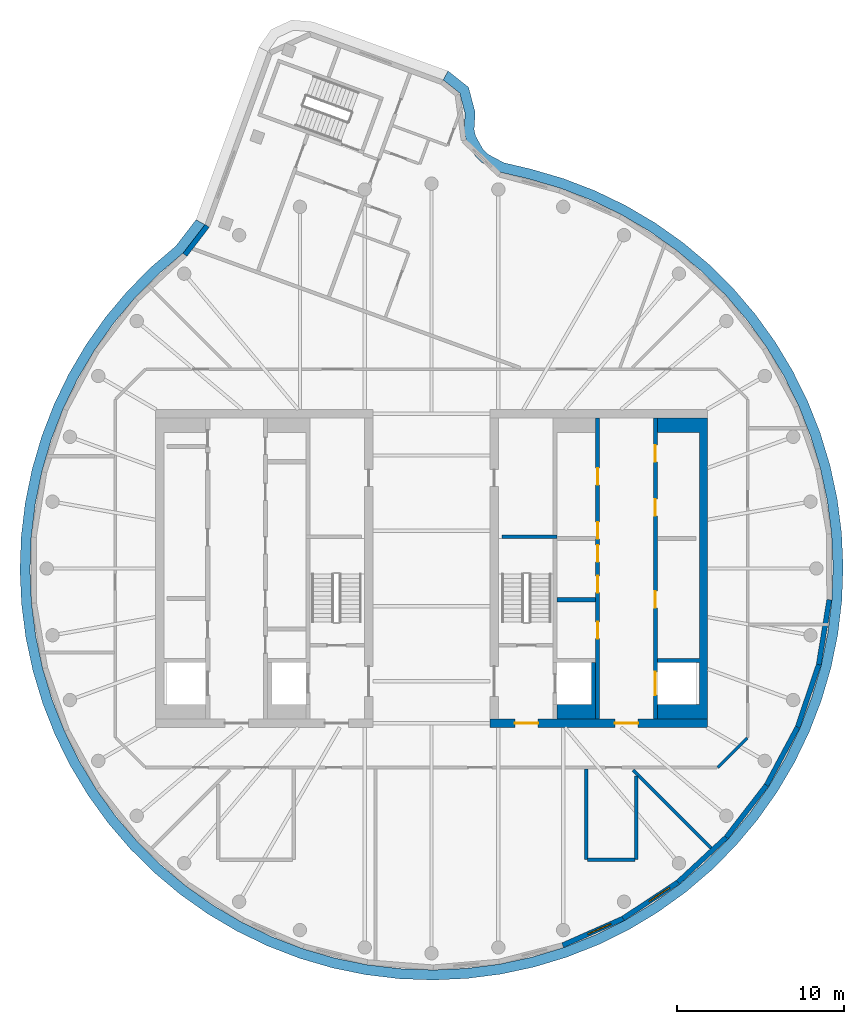
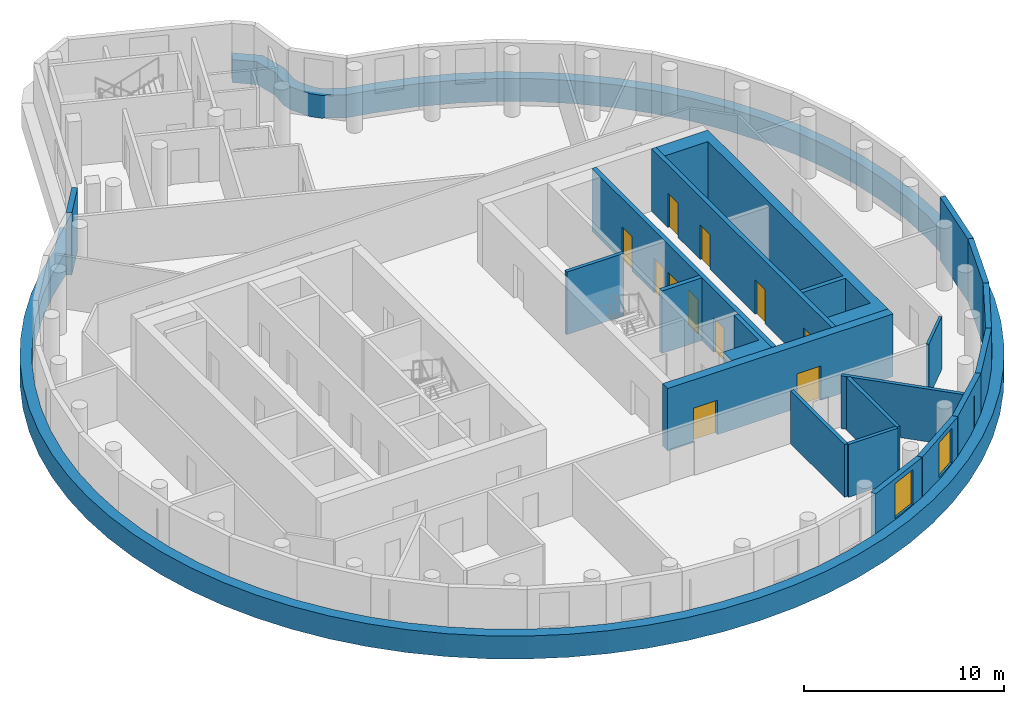
# One storey, part 4 of 7: 20 walls, 11 doors, 2 windows, 1 member, 13 openings.
"""IFC4 building model written with IfcOpenShell, lengths in metres."""

from ifc_helpers import new_model, si_unit, direction, frame, frame_2d, origin, place, context, subcontext, project, spatial, polyline, rectangle, outline, extrude, material, layer, layer_set, type_object, element, fill, aggregate, save


model = new_model("IFC4")

# Units and contexts
model_context = context("Model", 3, precision=1e-05, world=origin(), true_north=direction((0.0, 1.0)))
body_context = subcontext(model_context, "Body", "Model", "MODEL_VIEW")
ifc_project = project(units=[si_unit("LENGTHUNIT", "METRE"), si_unit("AREAUNIT", "SQUARE_METRE"), si_unit("VOLUMEUNIT", "CUBIC_METRE"), si_unit("PLANEANGLEUNIT", "RADIAN"), si_unit("MASSUNIT", "GRAM", prefix="KILO")], contexts=[model_context])

# Member
ifc_material_1 = material(Name="Aluminium and insulated spandrel panel", Category="aluminium")
member_type = type_object("IfcMemberType", Name="Floor-edge blade transom", PredefinedType="USERDEFINED", material=ifc_material_1)
site_placement = place(None, origin())
building_placement = place(site_placement, origin())
storey_placement = place(building_placement, frame((0.0, 0.0, 317.39990234375)))
member_placement = place(storey_placement, origin())
member = element("IfcMember", 1, at=member_placement, type_object=member_type, Name="CWT-L78-02", ObjectType="TRANSOM", PredefinedType="USERDEFINED", context=body_context, shape_type="SweptSolid", body=[
    extrude(outline(polyline([(-13.54248046875, 20.54736328125), (-14.847900390625, 18.848876953125), (-16.327880859375, 17.584228515625), (-17.72412109375, 16.17578125), (-18.99951171875, 14.656982421875), (-20.14501953125, 13.0380859375), (-21.15283203125, 11.329833984375), (-22.01611328125, 9.54443359375), (-22.72900390625, 7.69384765625), (-23.286865234375, 5.79052734375), (-23.685546875, 3.84765625), (-23.92236328125, 1.878662109375), (-23.995849609375, -0.103271484375), (-23.9052734375, -2.08447265625), (-23.6513671875, -4.051513671875), (-23.236083984375, -5.99072265625), (-22.662109375, -7.88916015625), (-21.93310546875, -9.733642578125), (-21.054443359375, -11.511474609375), (-20.031982421875, -13.2109375), (-18.87255859375, -14.820068359375), (-17.584228515625, -16.327880859375), (-16.17578125, -17.72412109375), (-14.656982421875, -18.99951171875), (-13.0380859375, -20.14501953125), (-11.329833984375, -21.15283203125), (-9.54443359375, -22.01611328125), (-7.69384765625, -22.72900390625), (-5.79052734375, -23.286865234375), (-3.84765625, -23.685546875), (-1.878662109375, -23.92236328125), (0.103271484375, -23.995849609375), (2.08447265625, -23.9052734375), (4.051513671875, -23.6513671875), (5.99072265625, -23.236083984375), (7.88916015625, -22.662109375), (9.733642578125, -21.93310546875), (11.511474609375, -21.054443359375), (13.2109375, -20.031982421875), (14.820068359375, -18.87255859375), (16.327880859375, -17.584228515625), (17.72412109375, -16.17578125), (18.99951171875, -14.656982421875), (20.14501953125, -13.0380859375), (21.15283203125, -11.329833984375), (22.01611328125, -9.54443359375), (22.72900390625, -7.69384765625), (23.286865234375, -5.79052734375), (23.685546875, -3.84765625), (23.92236328125, -1.878662109375), (23.995849609375, 0.103271484375), (23.9052734375, 2.08447265625), (23.6513671875, 4.051513671875), (23.236083984375, 5.99072265625), (22.662109375, 7.88916015625), (21.93310546875, 9.733642578125), (21.054443359375, 11.511474609375), (20.031982421875, 13.2109375), (18.87255859375, 14.820068359375), (17.584228515625, 16.327880859375), (16.17578125, 17.72412109375), (14.656982421875, 18.99951171875), (13.0380859375, 20.14501953125), (11.329833984375, 21.15283203125), (9.54443359375, 22.01611328125), (7.69384765625, 22.72900390625), (5.79052734375, 23.286865234375), (4.106689453125, 23.68115234375), (2.99658203125, 24.276123046875), (2.603515625, 24.663330078125), (2.0615234375, 25.6376953125), (1.940185546875, 26.176025390625), (2.004638671875, 27.190673828125), (1.6826171875, 28.412353515625), (0.692626953125, 29.197021484375), (0.9892578125, 29.7275390625), (2.2119140625, 28.75830078125), (2.609619140625, 27.249755859375), (2.54443359375, 26.223876953125), (2.6279296875, 25.85400390625), (3.0859375, 25.0302734375), (3.356201171875, 24.76416015625), (4.3203125, 24.247314453125), (5.943359375, 23.8671875), (7.88623046875, 23.2978515625), (9.783203125, 22.567138671875), (11.613525390625, 21.68212890625), (13.3642578125, 20.64892578125), (15.023681640625, 19.474853515625), (16.580810546875, 18.167724609375), (18.0244140625, 16.736572265625), (19.344970703125, 15.19091796875), (20.533203125, 13.54150390625), (21.581298828125, 11.799560546875), (22.482177734375, 9.97705078125), (23.229248046875, 8.08642578125), (23.817626953125, 6.140625), (24.243408203125, 4.15283203125), (24.50341796875, 2.13671875), (24.59619140625, 0.10595703125), (24.52099609375, -1.925537109375), (24.2783203125, -3.944091796875), (23.86962890625, -5.935302734375), (23.2978515625, -7.88623046875), (22.567138671875, -9.783203125), (21.68212890625, -11.613525390625), (20.64892578125, -13.3642578125), (19.474853515625, -15.023681640625), (18.167724609375, -16.580810546875), (16.736572265625, -18.0244140625), (15.19091796875, -19.344970703125), (13.54150390625, -20.533203125), (11.799560546875, -21.581298828125), (9.97705078125, -22.482177734375), (8.08642578125, -23.229248046875), (6.140625, -23.817626953125), (4.15283203125, -24.243408203125), (2.13671875, -24.50341796875), (0.10595703125, -24.59619140625), (-1.925537109375, -24.52099609375), (-3.944091796875, -24.2783203125), (-5.935302734375, -23.86962890625), (-7.88623046875, -23.2978515625), (-9.783203125, -22.567138671875), (-11.613525390625, -21.68212890625), (-13.3642578125, -20.64892578125), (-15.023681640625, -19.474853515625), (-16.580810546875, -18.167724609375), (-18.0244140625, -16.736572265625), (-19.344970703125, -15.19091796875), (-20.533203125, -13.54150390625), (-21.581298828125, -11.799560546875), (-22.482177734375, -9.97705078125), (-23.229248046875, -8.08642578125), (-23.817626953125, -6.140625), (-24.243408203125, -4.15283203125), (-24.50341796875, -2.13671875), (-24.59619140625, -0.10595703125), (-24.52099609375, 1.925537109375), (-24.2783203125, 3.944091796875), (-23.86962890625, 5.935302734375), (-23.2978515625, 7.88623046875), (-22.567138671875, 9.783203125), (-21.68212890625, 11.613525390625), (-20.64892578125, 13.3642578125), (-19.474853515625, 15.023681640625), (-18.167724609375, 16.580810546875), (-16.736572265625, 18.0244140625), (-15.285400390625, 19.264404296875), (-14.07470703125, 20.839599609375), (-13.54248046875, 20.54736328125)])), origin(), (0.0, 0.0, 1.0), 1.400146484375),
])

# Site, building, storey
site = spatial("IfcSite", under=ifc_project, at=site_placement, CompositionType="ELEMENT")
building = spatial("IfcBuilding", under=site, at=building_placement, Name="Tamarind Cross Interchange Tower", CompositionType="ELEMENT")
storey = spatial("IfcBuildingStorey", under=building, at=storey_placement, Name="L78", CompositionType="ELEMENT", Elevation=317.39990234375)

# Wall, openings, doors
ifc_material_2 = material(Name="Concrete C50", Category="concrete")
ifc_layer_1 = layer(ifc_material_2, 0.5)
ifc_layer_set_1 = layer_set([ifc_layer_1], Name="Concrete C50")
wall_type_1 = type_object("IfcWallType", Name="Core wall 500 mm Concrete C50", PredefinedType="SHEAR", material=ifc_layer_set_1)
wall_1_placement = place(storey_placement, frame((16.5, -9.25, 0.0), z_axis=(0.0, 0.0, 1.0), x_axis=(-1.0, 0.0, 0.0)))
wall_1 = element("IfcWall", 2, at=wall_1_placement, inside=storey, type_object=wall_type_1, Name="Core wall CWL-L78-E-S", PredefinedType="SHEAR", context=body_context, shape_type="SweptSolid", body=[
    extrude(rectangle(XDim=13.0, YDim=0.5, at=frame_2d((6.5, 0.0))), origin(), (0.0, 0.0, 1.0), 3.820068359375),
])
opening_1_placement = place(wall_1_placement, frame((4.14990234375, 0.0, 0.0)))
opening_1 = element("IfcOpeningElement", 3, at=opening_1_placement, cuts=wall_1, Name="Opening DCE1", PredefinedType="OPENING", context=body_context, shape_type="SweptSolid", body=[
    extrude(rectangle(XDim=1.39990234375, YDim=2.10009765625, at=frame_2d((0.699951171875, 1.050048828125))), frame((0.0, 0.260009765625, 0.0), z_axis=(0.0, -1.0, 0.0), x_axis=(1.0, 0.0, 0.0)), (0.0, 0.0, 1.0), 0.52001953125),
])
opening_2_placement = place(wall_1_placement, frame((10.125, 0.0, 0.0)))
opening_2 = element("IfcOpeningElement", 4, at=opening_2_placement, cuts=wall_1, Name="Opening DCEF", PredefinedType="OPENING", context=body_context, shape_type="SweptSolid", body=[
    extrude(rectangle(XDim=1.39990234375, YDim=2.10009765625, at=frame_2d((0.699951171875, 1.050048828125))), frame((0.0, 0.260009765625, 0.0), z_axis=(0.0, -1.0, 0.0), x_axis=(1.0, 0.0, 0.0)), (0.0, 0.0, 1.0), 0.52001953125),
])
ifc_material_3 = material(Name="Steel, fire-resisting", Category="steel")
door_type_1 = type_object("IfcDoorType", Name="Core fire door 1400 x 2100 FD90", OperationType="SINGLE_SWING_LEFT", PredefinedType="DOOR", material=ifc_material_3)
door_1_placement = place(opening_1_placement, origin())
door_1 = element("IfcDoor", 5, at=door_1_placement, inside=storey, type_object=door_type_1, Name="L78 lift lobby door", OperationType="SINGLE_SWING_LEFT", OverallHeight=2.10009765625, OverallWidth=1.39990234375, PredefinedType="DOOR", context=body_context, shape_type="SweptSolid", body=[
    extrude(rectangle(XDim=1.39990234375, YDim=2.10009765625, at=frame_2d((0.699951171875, 1.050048828125))), frame((0.0, 0.02490234375, 0.0), z_axis=(0.0, -1.0, 0.0), x_axis=(1.0, 0.0, 0.0)), (0.0, 0.0, 1.0), 0.050048828125),
])
fill(opening_1, door_1)
door_2_placement = place(opening_2_placement, origin())
door_2 = element("IfcDoor", 6, at=door_2_placement, inside=storey, type_object=door_type_1, Name="L78 firefighting lobby end door", OperationType="SINGLE_SWING_LEFT", OverallHeight=2.10009765625, OverallWidth=1.39990234375, PredefinedType="DOOR", context=body_context, shape_type="SweptSolid", body=[
    extrude(rectangle(XDim=1.39990234375, YDim=2.10009765625, at=frame_2d((0.699951171875, 1.050048828125))), frame((0.0, 0.02490234375, 0.0), z_axis=(0.0, -1.0, 0.0), x_axis=(1.0, 0.0, 0.0)), (0.0, 0.0, 1.0), 0.050048828125),
])
fill(opening_2, door_2)

# Walls
wall_2_placement = place(storey_placement, origin())
element("IfcWall", 7, at=wall_2_placement, inside=storey, type_object=wall_type_1, Name="Core wall CWL-L78-E-A", PredefinedType="SHEAR", context=body_context, shape_type="SweptSolid", body=[
    extrude(outline(polyline([(13.5, -8.125), (13.5, -9.0), (16.0, -9.0), (16.5, -9.0), (16.5, 9.0), (16.0, 9.0), (13.5, 9.0), (13.5, 8.125), (16.0, 8.125), (16.0, -5.375), (13.5, -5.375), (13.5, -5.625), (16.0, -5.625), (16.0, -8.125), (13.5, -8.125)])), origin(), (0.0, 0.0, 1.0), 3.820068359375),
])
ifc_layer_2 = layer(ifc_material_2, 0.199951171875)
ifc_layer_set_2 = layer_set([ifc_layer_2], Name="Concrete C50")
wall_type_2 = type_object("IfcWallType", Name="Core web wall 200 mm Concrete C50", PredefinedType="SHEAR", material=ifc_layer_set_2)
wall_3_placement = place(storey_placement, frame((7.5, 1.89990234375, 0.0), z_axis=(0.0, 0.0, 1.0), x_axis=(-1.0, 0.0, 0.0)))
element("IfcWall", 8, at=wall_3_placement, inside=storey, type_object=wall_type_2, Name="Core wall CWL-L78-E-BD", PredefinedType="SHEAR", context=body_context, shape_type="SweptSolid", body=[
    extrude(rectangle(XDim=3.300048828125, YDim=0.199951171875, at=frame_2d((1.64990234375, 0.0))), origin(), (0.0, 0.0, 1.0), 3.820068359375),
])
ifc_layer_3 = layer(ifc_material_2, 0.25)
ifc_layer_set_3 = layer_set([ifc_layer_3], Name="Concrete C50")
wall_type_3 = type_object("IfcWallType", Name="Core web wall 250 mm Concrete C50", PredefinedType="SHEAR", material=ifc_layer_set_3)
wall_4_placement = place(storey_placement, origin())
element("IfcWall", 9, at=wall_4_placement, inside=storey, type_object=wall_type_3, Name="Core wall CWL-L78-E-BS", PredefinedType="SHEAR", context=body_context, shape_type="SweptSolid", body=[
    extrude(outline(polyline([(7.5, -8.125), (7.5, -9.0), (9.800048828125, -9.0), (9.800048828125, -8.125), (9.800048828125, -5.625), (9.550048828125, -5.625), (9.550048828125, -8.125), (7.5, -8.125)])), origin(), (0.0, 0.0, 1.0), 3.820068359375),
])

# Wall, openings, doors
wall_5_placement = place(storey_placement, frame((13.375, -9.0, 0.0), z_axis=(0.0, 0.0, 1.0), x_axis=(0.0, 1.0, 0.0)))
wall_5 = element("IfcWall", 10, at=wall_5_placement, inside=storey, type_object=wall_type_3, Name="Core wall CWL-L78-E-LA", PredefinedType="SHEAR", context=body_context, shape_type="SweptSolid", body=[
    extrude(rectangle(XDim=18.0, YDim=0.25, at=frame_2d((9.0, 0.0))), origin(), (0.0, 0.0, 1.0), 3.820068359375),
])
opening_3_placement = place(wall_5_placement, frame((1.425048828125, 0.0, 0.0)))
opening_3 = element("IfcOpeningElement", 11, at=opening_3_placement, cuts=wall_5, Name="Opening LD13L78", PredefinedType="OPENING", context=body_context, shape_type="SweptSolid", body=[
    extrude(rectangle(XDim=1.39990234375, YDim=2.10009765625, at=frame_2d((0.699951171875, 1.050048828125))), frame((0.0, 0.135009765625, 0.0), z_axis=(0.0, -1.0, 0.0), x_axis=(1.0, 0.0, 0.0)), (0.0, 0.0, 1.0), 0.27001953125),
])
opening_4_placement = place(wall_5_placement, frame((6.64599609375, 0.0, 0.0)))
opening_4 = element("IfcOpeningElement", 12, at=opening_4_placement, cuts=wall_5, Name="Opening DCE9", PredefinedType="OPENING", context=body_context, shape_type="SweptSolid", body=[
    extrude(rectangle(XDim=1.0, YDim=2.10009765625, at=frame_2d((0.5, 1.050048828125))), frame((0.0, 0.135009765625, 0.0), z_axis=(0.0, -1.0, 0.0), x_axis=(1.0, 0.0, 0.0)), (0.0, 0.0, 1.0), 0.27001953125),
])
opening_5_placement = place(wall_5_placement, frame((12.14599609375, 0.0, 0.0)))
opening_5 = element("IfcOpeningElement", 13, at=opening_5_placement, cuts=wall_5, Name="Opening DCE10", PredefinedType="OPENING", context=body_context, shape_type="SweptSolid", body=[
    extrude(rectangle(XDim=1.0, YDim=2.10009765625, at=frame_2d((0.5, 1.050048828125))), frame((0.0, 0.135009765625, 0.0), z_axis=(0.0, -1.0, 0.0), x_axis=(1.0, 0.0, 0.0)), (0.0, 0.0, 1.0), 0.27001953125),
])
opening_6_placement = place(wall_5_placement, frame((15.375, 0.0, 0.0)))
opening_6 = element("IfcOpeningElement", 14, at=opening_6_placement, cuts=wall_5, Name="Opening DCE17", PredefinedType="OPENING", context=body_context, shape_type="SweptSolid", body=[
    extrude(rectangle(XDim=1.0, YDim=2.10009765625, at=frame_2d((0.5, 1.050048828125))), frame((0.0, 0.135009765625, 0.0), z_axis=(0.0, -1.0, 0.0), x_axis=(1.0, 0.0, 0.0)), (0.0, 0.0, 1.0), 0.27001953125),
])
door_type_2 = type_object("IfcDoorType", Name="Core fire door 1000 x 2100 FD90", OperationType="SINGLE_SWING_LEFT", PredefinedType="DOOR", material=ifc_material_3)
door_3_placement = place(opening_4_placement, origin())
door_3 = element("IfcDoor", 15, at=door_3_placement, inside=storey, type_object=door_type_2, Name="L78 Battery room door", OperationType="SINGLE_SWING_LEFT", OverallHeight=2.10009765625, OverallWidth=1.0, PredefinedType="DOOR", context=body_context, shape_type="SweptSolid", body=[
    extrude(rectangle(XDim=1.0, YDim=2.10009765625, at=frame_2d((0.5, 1.050048828125))), frame((0.0, 0.02490234375, 0.0), z_axis=(0.0, -1.0, 0.0), x_axis=(1.0, 0.0, 0.0)), (0.0, 0.0, 1.0), 0.050048828125),
])
fill(opening_4, door_3)
door_4_placement = place(opening_5_placement, origin())
door_4 = element("IfcDoor", 16, at=door_4_placement, inside=storey, type_object=door_type_2, Name="L78 Switch room door", OperationType="SINGLE_SWING_LEFT", OverallHeight=2.10009765625, OverallWidth=1.0, PredefinedType="DOOR", context=body_context, shape_type="SweptSolid", body=[
    extrude(rectangle(XDim=1.0, YDim=2.10009765625, at=frame_2d((0.5, 1.050048828125))), frame((0.0, 0.02490234375, 0.0), z_axis=(0.0, -1.0, 0.0), x_axis=(1.0, 0.0, 0.0)), (0.0, 0.0, 1.0), 0.050048828125),
])
fill(opening_5, door_4)
door_5_placement = place(opening_6_placement, origin())
door_5 = element("IfcDoor", 17, at=door_5_placement, inside=storey, type_object=door_type_2, Name="L78 Pump room door", OperationType="SINGLE_SWING_LEFT", OverallHeight=2.10009765625, OverallWidth=1.0, PredefinedType="DOOR", context=body_context, shape_type="SweptSolid", body=[
    extrude(rectangle(XDim=1.0, YDim=2.10009765625, at=frame_2d((0.5, 1.050048828125))), frame((0.0, 0.02490234375, 0.0), z_axis=(0.0, -1.0, 0.0), x_axis=(1.0, 0.0, 0.0)), (0.0, 0.0, 1.0), 0.050048828125),
])
fill(opening_6, door_5)
ifc_material_4 = material(Name="Stainless steel panel", Category="steel")
door_type_3 = type_object("IfcDoorType", Name="Lift landing door 1400 x 2100 E 120", OperationType="SLIDING_TO_LEFT", PredefinedType="DOOR", material=ifc_material_4)
door_6_placement = place(opening_3_placement, origin())
door_6 = element("IfcDoor", 18, at=door_6_placement, inside=storey, type_object=door_type_3, Name="L78 landing door LF13", OperationType="SLIDING_TO_LEFT", OverallHeight=2.10009765625, OverallWidth=1.39990234375, PredefinedType="DOOR", context=body_context, shape_type="SweptSolid", body=[
    extrude(rectangle(XDim=1.39990234375, YDim=2.10009765625, at=frame_2d((0.699951171875, 1.050048828125))), frame((0.0, 0.02490234375, 0.0), z_axis=(0.0, -1.0, 0.0), x_axis=(1.0, 0.0, 0.0)), (0.0, 0.0, 1.0), 0.050048828125),
])
fill(opening_3, door_6)

wall_6_placement = place(storey_placement, frame((9.925048828125, -9.0, 0.0), z_axis=(0.0, 0.0, 1.0), x_axis=(0.0, 1.0, 0.0)))
wall_6 = element("IfcWall", 19, at=wall_6_placement, inside=storey, type_object=wall_type_3, Name="Core wall CWL-L78-E-LB", PredefinedType="SHEAR", context=body_context, shape_type="SweptSolid", body=[
    extrude(rectangle(XDim=18.0, YDim=0.25, at=frame_2d((9.0, 0.0))), origin(), (0.0, 0.0, 1.0), 3.820068359375),
])
opening_7_placement = place(wall_6_placement, frame((4.8125, 0.0, 0.0)))
opening_7 = element("IfcOpeningElement", 20, at=opening_7_placement, cuts=wall_6, Name="Opening DCE21", PredefinedType="OPENING", context=body_context, shape_type="SweptSolid", body=[
    extrude(rectangle(XDim=1.0, YDim=2.10009765625, at=frame_2d((0.5, 1.050048828125))), frame((0.0, 0.135009765625, 0.0), z_axis=(0.0, -1.0, 0.0), x_axis=(1.0, 0.0, 0.0)), (0.0, 0.0, 1.0), 0.27001953125),
])
opening_8_placement = place(wall_6_placement, frame((7.5625, 0.0, 0.0)))
opening_8 = element("IfcOpeningElement", 21, at=opening_8_placement, cuts=wall_6, Name="Opening DCE22", PredefinedType="OPENING", context=body_context, shape_type="SweptSolid", body=[
    extrude(rectangle(XDim=1.0, YDim=2.10009765625, at=frame_2d((0.5, 1.050048828125))), frame((0.0, 0.135009765625, 0.0), z_axis=(0.0, -1.0, 0.0), x_axis=(1.0, 0.0, 0.0)), (0.0, 0.0, 1.0), 0.27001953125),
])
opening_9_placement = place(wall_6_placement, frame((9.39599609375, 0.0, 0.0)))
opening_9 = element("IfcOpeningElement", 22, at=opening_9_placement, cuts=wall_6, Name="Opening DCE21", PredefinedType="OPENING", context=body_context, shape_type="SweptSolid", body=[
    extrude(rectangle(XDim=1.0, YDim=2.10009765625, at=frame_2d((0.5, 1.050048828125))), frame((0.0, 0.135009765625, 0.0), z_axis=(0.0, -1.0, 0.0), x_axis=(1.0, 0.0, 0.0)), (0.0, 0.0, 1.0), 0.27001953125),
])
opening_10_placement = place(wall_6_placement, frame((10.77099609375, 0.0, 0.0)))
opening_10 = element("IfcOpeningElement", 23, at=opening_10_placement, cuts=wall_6, Name="Opening DCE22", PredefinedType="OPENING", context=body_context, shape_type="SweptSolid", body=[
    extrude(rectangle(XDim=1.0, YDim=2.10009765625, at=frame_2d((0.5, 1.050048828125))), frame((0.0, 0.135009765625, 0.0), z_axis=(0.0, -1.0, 0.0), x_axis=(1.0, 0.0, 0.0)), (0.0, 0.0, 1.0), 0.27001953125),
])
opening_11_placement = place(wall_6_placement, frame((14.0, 0.0, 0.0)))
opening_11 = element("IfcOpeningElement", 24, at=opening_11_placement, cuts=wall_6, Name="Opening DCE21", PredefinedType="OPENING", context=body_context, shape_type="SweptSolid", body=[
    extrude(rectangle(XDim=1.0, YDim=2.10009765625, at=frame_2d((0.5, 1.050048828125))), frame((0.0, 0.135009765625, 0.0), z_axis=(0.0, -1.0, 0.0), x_axis=(1.0, 0.0, 0.0)), (0.0, 0.0, 1.0), 0.27001953125),
])
door_7_placement = place(opening_7_placement, origin())
door_7 = element("IfcDoor", 25, at=door_7_placement, inside=storey, type_object=door_type_2, Name="L78 Pump room door", OperationType="SINGLE_SWING_LEFT", OverallHeight=2.10009765625, OverallWidth=1.0, PredefinedType="DOOR", context=body_context, shape_type="SweptSolid", body=[
    extrude(rectangle(XDim=1.0, YDim=2.10009765625, at=frame_2d((0.5, 1.050048828125))), frame((0.0, 0.02490234375, 0.0), z_axis=(0.0, -1.0, 0.0), x_axis=(1.0, 0.0, 0.0)), (0.0, 0.0, 1.0), 0.050048828125),
])
fill(opening_7, door_7)
door_8_placement = place(opening_8_placement, origin())
door_8 = element("IfcDoor", 26, at=door_8_placement, inside=storey, type_object=door_type_2, Name="L78 Plant room door", OperationType="SINGLE_SWING_LEFT", OverallHeight=2.10009765625, OverallWidth=1.0, PredefinedType="DOOR", context=body_context, shape_type="SweptSolid", body=[
    extrude(rectangle(XDim=1.0, YDim=2.10009765625, at=frame_2d((0.5, 1.050048828125))), frame((0.0, 0.02490234375, 0.0), z_axis=(0.0, -1.0, 0.0), x_axis=(1.0, 0.0, 0.0)), (0.0, 0.0, 1.0), 0.050048828125),
])
fill(opening_8, door_8)
door_9_placement = place(opening_9_placement, origin())
door_9 = element("IfcDoor", 27, at=door_9_placement, inside=storey, type_object=door_type_2, Name="L78 Plant room door", OperationType="SINGLE_SWING_LEFT", OverallHeight=2.10009765625, OverallWidth=1.0, PredefinedType="DOOR", context=body_context, shape_type="SweptSolid", body=[
    extrude(rectangle(XDim=1.0, YDim=2.10009765625, at=frame_2d((0.5, 1.050048828125))), frame((0.0, 0.02490234375, 0.0), z_axis=(0.0, -1.0, 0.0), x_axis=(1.0, 0.0, 0.0)), (0.0, 0.0, 1.0), 0.050048828125),
])
fill(opening_9, door_9)
door_10_placement = place(opening_10_placement, origin())
door_10 = element("IfcDoor", 28, at=door_10_placement, inside=storey, type_object=door_type_2, Name="L78 Storage room door", OperationType="SINGLE_SWING_LEFT", OverallHeight=2.10009765625, OverallWidth=1.0, PredefinedType="DOOR", context=body_context, shape_type="SweptSolid", body=[
    extrude(rectangle(XDim=1.0, YDim=2.10009765625, at=frame_2d((0.5, 1.050048828125))), frame((0.0, 0.02490234375, 0.0), z_axis=(0.0, -1.0, 0.0), x_axis=(1.0, 0.0, 0.0)), (0.0, 0.0, 1.0), 0.050048828125),
])
fill(opening_10, door_10)
door_11_placement = place(opening_11_placement, origin())
door_11 = element("IfcDoor", 29, at=door_11_placement, inside=storey, type_object=door_type_2, Name="L78 Switch room door", OperationType="SINGLE_SWING_LEFT", OverallHeight=2.10009765625, OverallWidth=1.0, PredefinedType="DOOR", context=body_context, shape_type="SweptSolid", body=[
    extrude(rectangle(XDim=1.0, YDim=2.10009765625, at=frame_2d((0.5, 1.050048828125))), frame((0.0, 0.02490234375, 0.0), z_axis=(0.0, -1.0, 0.0), x_axis=(1.0, 0.0, 0.0)), (0.0, 0.0, 1.0), 0.050048828125),
])
fill(opening_11, door_11)

# Walls
ifc_material_5 = material(Name="Gypsum board partition on steel studs", Category="steel")
ifc_layer_4 = layer(ifc_material_5, 0.14990234375)
ifc_layer_set_4 = layer_set([ifc_layer_4], Name="Gypsum board partition on steel studs")
wall_type_4 = type_object("IfcWallType", Name="Partition 150 mm EI 120", PredefinedType="PARTITIONING", material=ifc_layer_set_4)
wall_7_placement = place(storey_placement, frame((17.10009765625, -11.89990234375, 0.0), z_axis=(0.0, 0.0, 1.0), x_axis=(0.707106781187, 0.707106781187, 0.0)))
element("IfcWall", 30, at=wall_7_placement, inside=storey, type_object=wall_type_4, Name="Partition L78-023", PredefinedType="PARTITIONING", context=body_context, shape_type="SweptSolid", body=[
    extrude(rectangle(XDim=2.50537109375, YDim=0.14990234375, at=frame_2d((1.252685546875, 0.0))), origin(), (0.0, 0.0, 1.0), 3.22021484375),
])
ifc_layer_5 = layer(ifc_material_5, 0.199951171875)
ifc_layer_set_5 = layer_set([ifc_layer_5], Name="Gypsum board partition on steel studs")
wall_type_5 = type_object("IfcWallType", Name="Partition 200 mm EI 180", PredefinedType="PARTITIONING", material=ifc_layer_set_5)
wall_8_placement = place(storey_placement, frame((12.052001953125, -12.052001953125, 0.0), z_axis=(0.0, 0.0, 1.0), x_axis=(0.707106781187, -0.707106781187, 0.0)))
element("IfcWall", 31, at=wall_8_placement, inside=storey, type_object=wall_type_5, Name="Partition L78-003", PredefinedType="PARTITIONING", context=body_context, shape_type="SweptSolid", body=[
    extrude(rectangle(XDim=6.8857421875, YDim=0.199951171875, at=frame_2d((3.44287109375, 0.0))), origin(), (0.0, 0.0, 1.0), 3.22021484375),
])
wall_9_placement = place(storey_placement, frame((9.321044921875, -17.39990234375, 0.0), z_axis=(0.0, 0.0, 1.0), x_axis=(1.0, 0.0, 0.0)))
element("IfcWall", 32, at=wall_9_placement, inside=storey, type_object=wall_type_5, Name="Partition L78-017", PredefinedType="PARTITIONING", context=body_context, shape_type="SweptSolid", body=[
    extrude(rectangle(XDim=2.83984375, YDim=0.199951171875, at=frame_2d((1.419921875, 0.0))), origin(), (0.0, 0.0, 1.0), 3.22021484375),
])
wall_10_placement = place(storey_placement, frame((9.240966796875, -17.39990234375, 0.0), z_axis=(0.0, 0.0, 1.0), x_axis=(0.0, 1.0, 0.0)))
element("IfcWall", 33, at=wall_10_placement, inside=storey, type_object=wall_type_5, Name="Partition L78-037", PredefinedType="PARTITIONING", context=body_context, shape_type="SweptSolid", body=[
    extrude(rectangle(XDim=5.419921875, YDim=0.199951171875, at=frame_2d((2.7099609375, 0.0))), origin(), (0.0, 0.0, 1.0), 3.22021484375),
])
wall_11_placement = place(storey_placement, frame((12.240966796875, -17.39990234375, 0.0), z_axis=(0.0, 0.0, 1.0), x_axis=(0.0, 1.0, 0.0)))
element("IfcWall", 34, at=wall_11_placement, inside=storey, type_object=wall_type_5, Name="Partition L78-038", PredefinedType="PARTITIONING", context=body_context, shape_type="SweptSolid", body=[
    extrude(rectangle(XDim=4.9990234375, YDim=0.199951171875, at=frame_2d((2.49951171875, 0.0))), origin(), (0.0, 0.0, 1.0), 3.22021484375),
])

# Wall
ifc_material_6 = material(Name="Precast concrete C40", Category="concrete")
ifc_layer_6 = layer(ifc_material_6, 0.300048828125)
ifc_layer_set_6 = layer_set([ifc_layer_6], Name="Precast concrete C40")
wall_type_6 = type_object("IfcWallType", Name="Plant louvre wall", PredefinedType="SOLIDWALL", material=ifc_layer_set_6)
wall_12_placement = place(storey_placement, frame((-13.409423828125, 20.474365234375, 0.0), z_axis=(0.0, 0.0, 1.0), x_axis=(-0.609396950442, -0.792865282877, 0.0)))
wall_12 = element("IfcWall", 35, at=wall_12_placement, inside=storey, type_object=wall_type_6, Name="EXW-L78-02-00", PredefinedType="SOLIDWALL", context=body_context, shape_type="SweptSolid", body=[
    extrude(rectangle(XDim=2.180908203125, YDim=0.300048828125, at=frame_2d((1.09033203125, 0.0))), origin(), (0.0, 0.0, 1.0), 3.820068359375),
])

aggregate(wall_12, [member])

# Wall, opening, window
wall_13_placement = place(storey_placement, frame((7.839599609375, -22.520263671875, 0.0), z_axis=(0.0, 0.0, 1.0), x_axis=(0.91404912862, 0.405603489221, 0.0)))
wall_13 = element("IfcWall", 36, at=wall_13_placement, inside=storey, type_object=wall_type_6, Name="EXW-L78-02-18", PredefinedType="SOLIDWALL", context=body_context, shape_type="SweptSolid", body=[
    extrude(rectangle(XDim=3.9384765625, YDim=0.300048828125, at=frame_2d((1.96923828125, 0.0))), origin(), (0.0, 0.0, 1.0), 3.820068359375),
])
opening_12_placement = place(wall_13_placement, frame((1.642578125, 0.0, 1.39990234375)))
opening_12 = element("IfcOpeningElement", 37, at=opening_12_placement, cuts=wall_13, Name="Opening W2", PredefinedType="OPENING", context=body_context, shape_type="SweptSolid", body=[
    extrude(rectangle(XDim=1.508544921875, YDim=2.1201171875, at=frame_2d((0.75439453125, 1.06005859375))), frame((0.0, 0.159912109375, 0.0), z_axis=(0.0, -1.0, 0.0), x_axis=(1.0, 0.0, 0.0)), (0.0, 0.0, 1.0), 0.320068359375),
])
ifc_material_7 = material(Name="Aluminium louvre", Category="aluminium")
window_type = type_object("IfcWindowType", Name="Plant louvre bank", PartitioningType="SINGLE_PANEL", PredefinedType="WINDOW", material=ifc_material_7)
window_1_placement = place(opening_12_placement, origin())
window_1 = element("IfcWindow", 38, at=window_1_placement, inside=storey, type_object=window_type, Name="WIN-L78-02-18", OverallHeight=2.1201171875, OverallWidth=1.508544921875, PartitioningType="SINGLE_PANEL", PredefinedType="WINDOW", context=body_context, shape_type="SweptSolid", body=[
    extrude(rectangle(XDim=1.508544921875, YDim=2.1201171875, at=frame_2d((0.75439453125, 1.06005859375))), frame((0.0, 0.030029296875, 0.0), z_axis=(0.0, -1.0, 0.0), x_axis=(1.0, 0.0, 0.0)), (0.0, 0.0, 1.0), 0.06005859375),
])
fill(opening_12, window_1)

wall_14_placement = place(storey_placement, frame((11.439453125, -20.9228515625, 0.0), z_axis=(0.0, 0.0, 1.0), x_axis=(0.834786621205, 0.550573607302, 0.0)))
wall_14 = element("IfcWall", 39, at=wall_14_placement, inside=storey, type_object=wall_type_6, Name="EXW-L78-02-19", PredefinedType="SOLIDWALL", context=body_context, shape_type="SweptSolid", body=[
    extrude(rectangle(XDim=3.9384765625, YDim=0.300048828125, at=frame_2d((1.96923828125, 0.0))), origin(), (0.0, 0.0, 1.0), 3.820068359375),
])
opening_13_placement = place(wall_14_placement, frame((1.853271484375, 0.0, 1.39990234375)))
opening_13 = element("IfcOpeningElement", 40, at=opening_13_placement, cuts=wall_14, Name="Opening W2", PredefinedType="OPENING", context=body_context, shape_type="SweptSolid", body=[
    extrude(rectangle(XDim=1.485107421875, YDim=2.1201171875, at=frame_2d((0.74267578125, 1.06005859375))), frame((0.0, 0.159912109375, 0.0), z_axis=(0.0, -1.0, 0.0), x_axis=(1.0, 0.0, 0.0)), (0.0, 0.0, 1.0), 0.320068359375),
])
window_2_placement = place(opening_13_placement, origin())
window_2 = element("IfcWindow", 41, at=window_2_placement, inside=storey, type_object=window_type, Name="WIN-L78-02-19", OverallHeight=2.1201171875, OverallWidth=1.485107421875, PartitioningType="SINGLE_PANEL", PredefinedType="WINDOW", context=body_context, shape_type="SweptSolid", body=[
    extrude(rectangle(XDim=1.485107421875, YDim=2.1201171875, at=frame_2d((0.74267578125, 1.06005859375))), frame((0.0, 0.030029296875, 0.0), z_axis=(0.0, -1.0, 0.0), x_axis=(1.0, 0.0, 0.0)), (0.0, 0.0, 1.0), 0.06005859375),
])
fill(opening_13, window_2)

# Walls
wall_15_placement = place(storey_placement, frame((14.727294921875, -18.75439453125, 0.0), z_axis=(0.0, 0.0, 1.0), x_axis=(0.732813362883, 0.680429698926, 0.0)))
element("IfcWall", 42, at=wall_15_placement, inside=storey, type_object=wall_type_6, Name="EXW-L78-02-20", PredefinedType="SOLIDWALL", context=body_context, shape_type="SweptSolid", body=[
    extrude(rectangle(XDim=3.938232421875, YDim=0.300048828125, at=frame_2d((1.96923828125, 0.0))), origin(), (0.0, 0.0, 1.0), 3.820068359375),
])
for number, where, z_axis, x_axis, name in (
    (43, (17.61328125, -16.07470703125, 0.0), (0.0, 0.0, 1.0), (0.610785688376, 0.79179596038, 0.0), "EXW-L78-02-21"),
    (44, (20.018798828125, -12.956298828125, 0.0), (0.0, 0.0, 1.0), (0.472180126088, 0.881502086513, 0.0), "EXW-L78-02-22"),
    (45, (21.87841796875, -9.484619140625, 0.0), (0.0, 0.0, 1.0), (0.320613287718, 0.947210177172, 0.0), "EXW-L78-02-23"),
):
    element("IfcWall", number, at=place(storey_placement, frame(where, z_axis=z_axis, x_axis=x_axis)), inside=storey, type_object=wall_type_6, Name=name, PredefinedType="SOLIDWALL", context=body_context, shape_type="SweptSolid", body=[
        extrude(rectangle(XDim=3.9384765625, YDim=0.300048828125, at=frame_2d((1.96923828125, 0.0))), origin(), (0.0, 0.0, 1.0), 3.820068359375),
    ])
wall_16_placement = place(storey_placement, frame((23.14111328125, -5.754150390625, 0.0), z_axis=(0.0, 0.0, 1.0), x_axis=(0.160376439891, 0.987055924215, 0.0)))
element("IfcWall", 46, at=wall_16_placement, inside=storey, type_object=wall_type_6, Name="EXW-L78-02-24", PredefinedType="SOLIDWALL", context=body_context, shape_type="SweptSolid", body=[
    extrude(rectangle(XDim=3.938232421875, YDim=0.300048828125, at=frame_2d((1.96923828125, 0.0))), origin(), (0.0, 0.0, 1.0), 3.820068359375),
])
ifc_material_8 = material(Name="Concrete C40", Category="concrete")
ifc_layer_7 = layer(ifc_material_8, 0.25)
ifc_layer_set_7 = layer_set([ifc_layer_7], Name="Concrete C40")
wall_type_7 = type_object("IfcWallType", Name="Shaft and lobby wall 250 mm Concrete C40", PredefinedType="PARTITIONING", material=ifc_layer_set_7)
wall_17_placement = place(storey_placement, frame((9.800048828125, -1.875, 0.0), z_axis=(0.0, 0.0, 1.0), x_axis=(-1.0, 0.0, 0.0)))
element("IfcWall", 47, at=wall_17_placement, inside=storey, type_object=wall_type_7, Name="Shaft wall CWL-L78-E-FPB1", PredefinedType="PARTITIONING", context=body_context, shape_type="SweptSolid", body=[
    extrude(rectangle(XDim=2.300048828125, YDim=0.25, at=frame_2d((1.14990234375, 0.0))), origin(), (0.0, 0.0, 1.0), 3.820068359375),
])

save(model, "model.ifc")
